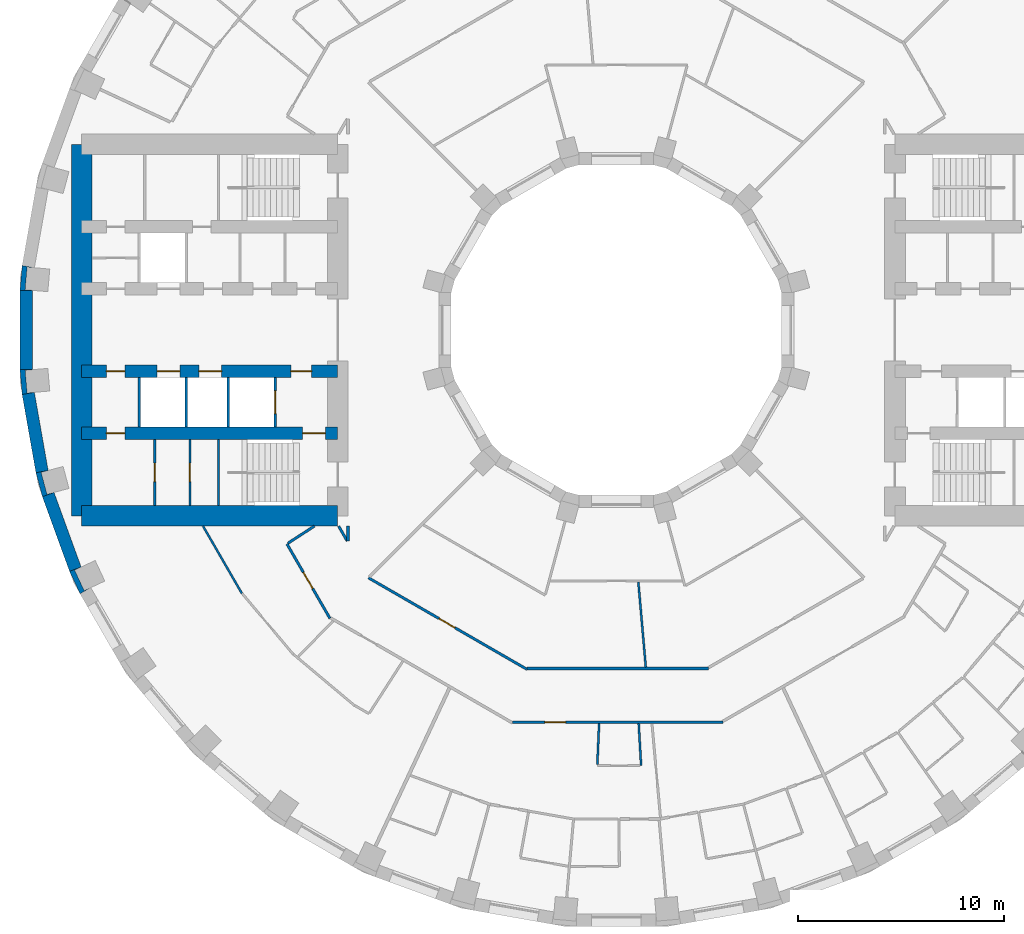
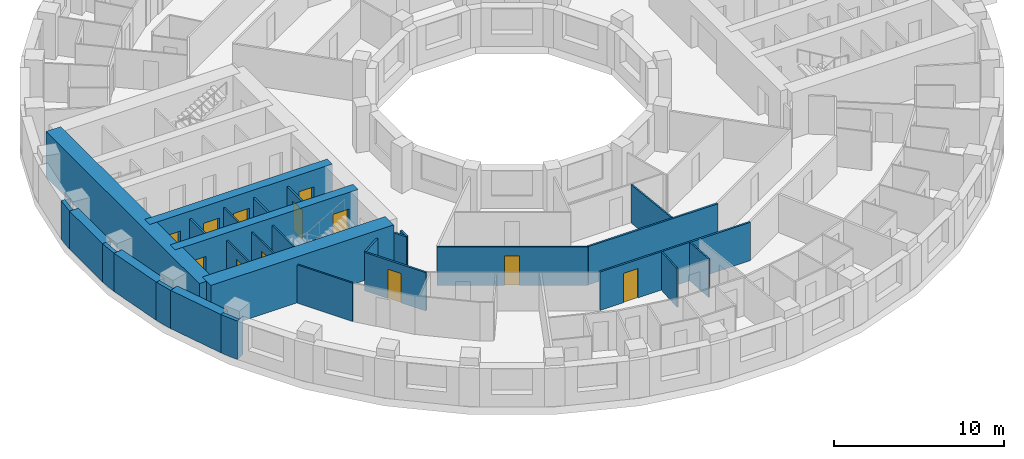
# One storey, part 5 of 15: 29 walls, 12 doors, 12 openings.
"""IFC4 building model written with IfcOpenShell, lengths in metres."""

from ifc_helpers import new_model, si_unit, direction, frame, frame_2d, origin, place, context, subcontext, project, spatial, polyline, rectangle, outline, extrude, material, layer, layer_set, type_object, element, fill, save


model = new_model("IFC4")

# Units and contexts
model_context = context("Model", 3, precision=1e-05, world=origin(), true_north=direction((0.0, 1.0)))
body_context = subcontext(model_context, "Body", "Model", "MODEL_VIEW")
ifc_project = project(units=[si_unit("LENGTHUNIT", "METRE"), si_unit("AREAUNIT", "SQUARE_METRE"), si_unit("VOLUMEUNIT", "CUBIC_METRE"), si_unit("PLANEANGLEUNIT", "RADIAN"), si_unit("MASSUNIT", "GRAM", prefix="KILO")], contexts=[model_context])

# Site, building, storey
site_placement = place(None, origin())
site = spatial("IfcSite", under=ifc_project, at=site_placement, CompositionType="ELEMENT")
building_placement = place(site_placement, origin())
building = spatial("IfcBuilding", under=site, at=building_placement, Name="Saqina Gate Tower", CompositionType="ELEMENT")
storey_placement = place(building_placement, frame((0.0, 0.0, 59.300048828125)))
storey = spatial("IfcBuildingStorey", under=building, at=storey_placement, Name="L16", CompositionType="ELEMENT", Elevation=59.300048828125)

# Walls
ifc_material_1 = material(Name="Brick masonry (red)", Category="masonry")
wall_type_1 = type_object("IfcWallType", Name="BRICK PIER COPING RED", PredefinedType="SOLIDWALL", material=ifc_material_1)
wall_1_placement = place(storey_placement, origin())
element("IfcWall", 1, at=wall_1_placement, inside=storey, type_object=wall_type_1, Name="Pier cap L16 column 18", PredefinedType="SOLIDWALL", context=body_context, shape_type="SweptSolid", body=[
    extrude(outline(polyline([(-28.78466796875, 3.122802734375), (-28.8896484375, 1.9228515625), (-28.28955078125, 1.9228515625), (-28.638671875, 1.95361328125), (-28.54296875, 3.04931640625), (-28.19384765625, 3.018798828125), (-28.78466796875, 3.122802734375)])), origin(), (0.0, 0.0, 1.0), 2.75),
])
wall_2_placement = place(storey_placement, origin())
element("IfcWall", 2, at=wall_2_placement, inside=storey, type_object=wall_type_1, Name="Pier cap L16 column 19", PredefinedType="SOLIDWALL", context=body_context, shape_type="SweptSolid", body=[
    extrude(outline(polyline([(-28.8896484375, -1.9228515625), (-28.78466796875, -3.122802734375), (-28.19384765625, -3.018798828125), (-28.54296875, -3.04931640625), (-28.638671875, -1.95361328125), (-28.28955078125, -1.9228515625), (-28.8896484375, -1.9228515625)])), origin(), (0.0, 0.0, 1.0), 2.75),
])
wall_3_placement = place(storey_placement, origin())
element("IfcWall", 3, at=wall_3_placement, inside=storey, type_object=wall_type_1, Name="Pier cap L16 column 20", PredefinedType="SOLIDWALL", context=body_context, shape_type="SweptSolid", body=[
    extrude(outline(polyline([(-28.11669921875, -6.910400390625), (-27.80517578125, -8.073974609375), (-27.2412109375, -7.86865234375), (-27.57958984375, -7.95947265625), (-27.864501953125, -6.896728515625), (-27.52587890625, -6.80615234375), (-28.11669921875, -6.910400390625)])), origin(), (0.0, 0.0, 1.0), 2.75),
])
wall_4_placement = place(storey_placement, origin())
element("IfcWall", 4, at=wall_4_placement, inside=storey, type_object=wall_type_1, Name="Pier cap L16 column 21", PredefinedType="SOLIDWALL", context=body_context, shape_type="SweptSolid", body=[
    extrude(outline(polyline([(-25.980712890625, -12.779541015625), (-25.4609375, -12.4794921875), (-25.778564453125, -12.627685546875), (-26.243408203125, -11.630615234375), (-25.92578125, -11.482666015625), (-26.48974609375, -11.687744140625), (-25.980712890625, -12.779541015625)])), origin(), (0.0, 0.0, 1.0), 2.75),
])

# Wall, opening, door
ifc_material_2 = material(Name="Gypsum board on steel studs", Category="steel")
ifc_layer_1 = layer(ifc_material_2, 0.10009765625)
ifc_layer_set_1 = layer_set([ifc_layer_1], Name="CORE PARTITION")
wall_type_2 = type_object("IfcWallType", Name="CORE PARTITION", PredefinedType="PARTITIONING", material=ifc_layer_set_1)
wall_5_placement = place(storey_placement, frame((-20.65771484375, -8.5, 0.0), z_axis=(0.0, 0.0, 1.0), x_axis=(0.0, 1.0, 0.0)))
wall_5 = element("IfcWall", 5, at=wall_5_placement, inside=storey, type_object=wall_type_2, Name="L16-CP-W13", PredefinedType="PARTITIONING", context=body_context, shape_type="SweptSolid", body=[
    extrude(rectangle(XDim=3.199951171875, YDim=0.10009765625, at=frame_2d((1.60009765625, 0.0))), origin(), (0.0, 0.0, 1.0), 2.75),
])
opening_1_placement = place(wall_5_placement, frame((1.14990234375, 0.0, 0.0)))
opening_1 = element("IfcOpeningElement", 6, at=opening_1_placement, cuts=wall_5, Name="Opening G04-D116", PredefinedType="OPENING", context=body_context, shape_type="SweptSolid", body=[
    extrude(rectangle(XDim=0.89990234375, YDim=2.10009765625, at=frame_2d((0.449951171875, 1.050048828125))), frame((0.0, 0.06201171875, 0.0), z_axis=(0.0, -1.0, 0.0), x_axis=(1.0, 0.0, 0.0)), (0.0, 0.0, 1.0), 0.1240234375),
])
ifc_material_3 = material(Name="Steel-framed fire door leaf, EI 60", Category="steel")
door_type_1 = type_object("IfcDoorType", Name="SERVICE ROOM DOOR 900", OperationType="SINGLE_SWING_LEFT", PredefinedType="DOOR", material=ifc_material_3)
door_1_placement = place(opening_1_placement, origin())
door_1 = element("IfcDoor", 7, at=door_1_placement, inside=storey, type_object=door_type_1, Name="L16-CD-W27", OperationType="SINGLE_SWING_LEFT", OverallHeight=2.10009765625, OverallWidth=0.89990234375, PredefinedType="DOOR", context=body_context, shape_type="SweptSolid", body=[
    extrude(rectangle(XDim=0.89990234375, YDim=2.10009765625, at=frame_2d((0.449951171875, 1.050048828125))), frame((0.0, 0.02490234375, 0.0), z_axis=(0.0, -1.0, 0.0), x_axis=(1.0, 0.0, 0.0)), (0.0, 0.0, 1.0), 0.050048828125),
])
fill(opening_1, door_1)

wall_6_placement = place(storey_placement, frame((-22.360107421875, -8.5, 0.0), z_axis=(0.0, 0.0, 1.0), x_axis=(0.0, 1.0, 0.0)))
wall_6 = element("IfcWall", 8, at=wall_6_placement, inside=storey, type_object=wall_type_2, Name="L16-CP-W14", PredefinedType="PARTITIONING", context=body_context, shape_type="SweptSolid", body=[
    extrude(rectangle(XDim=3.199951171875, YDim=0.10009765625, at=frame_2d((1.60009765625, 0.0))), origin(), (0.0, 0.0, 1.0), 2.75),
])
opening_2_placement = place(wall_6_placement, frame((1.14990234375, 0.0, 0.0)))
opening_2 = element("IfcOpeningElement", 9, at=opening_2_placement, cuts=wall_6, Name="Opening G04-D115", PredefinedType="OPENING", context=body_context, shape_type="SweptSolid", body=[
    extrude(rectangle(XDim=0.89990234375, YDim=2.10009765625, at=frame_2d((0.449951171875, 1.050048828125))), frame((0.0, 0.06201171875, 0.0), z_axis=(0.0, -1.0, 0.0), x_axis=(1.0, 0.0, 0.0)), (0.0, 0.0, 1.0), 0.1240234375),
])
door_2_placement = place(opening_2_placement, origin())
door_2 = element("IfcDoor", 10, at=door_2_placement, inside=storey, type_object=door_type_1, Name="L16-CD-W26", OperationType="SINGLE_SWING_LEFT", OverallHeight=2.10009765625, OverallWidth=0.89990234375, PredefinedType="DOOR", context=body_context, shape_type="SweptSolid", body=[
    extrude(rectangle(XDim=0.89990234375, YDim=2.10009765625, at=frame_2d((0.449951171875, 1.050048828125))), frame((0.0, 0.02490234375, 0.0), z_axis=(0.0, -1.0, 0.0), x_axis=(1.0, 0.0, 0.0)), (0.0, 0.0, 1.0), 0.050048828125),
])
fill(opening_2, door_2)

# Walls
ifc_material_4 = material(Name="Glazed ceramic tile", Category="ceramic")
ifc_layer_2 = layer(ifc_material_4, 0.60009765625)
ifc_layer_set_2 = layer_set([ifc_layer_2], Name="FW-TILE")
wall_type_3 = type_object("IfcWallType", Name="FW-TILE", PredefinedType="SOLIDWALL", material=ifc_layer_set_2)
wall_7_placement = place(storey_placement, frame((-28.4892578125, -3.07080078125, 0.0), z_axis=(0.0, 0.0, 1.0), x_axis=(0.173687553279, -0.984800809218, 0.0)))
element("IfcWall", 11, at=wall_7_placement, inside=storey, type_object=wall_type_3, Name="Facade wall L16 facet 19", PredefinedType="SOLIDWALL", context=body_context, shape_type="SweptSolid", body=[
    extrude(rectangle(XDim=3.845703125, YDim=0.60009765625, at=frame_2d((1.9228515625, 0.0))), origin(), (0.0, 0.0, 1.0), 2.75),
])
ifc_material_5 = material(Name="Glazed ceramic tile (dark blue)", Category="ceramic")
ifc_layer_3 = layer(ifc_material_5, 0.60009765625)
ifc_layer_set_3 = layer_set([ifc_layer_3], Name="FW-TILE-CB")
wall_type_4 = type_object("IfcWallType", Name="FW-TILE-CB", PredefinedType="SOLIDWALL", material=ifc_layer_set_3)
wall_8_placement = place(storey_placement, frame((-28.589599609375, 1.9228515625, 0.0), z_axis=(0.0, 0.0, 1.0), x_axis=(0.0, -1.0, 0.0)))
element("IfcWall", 12, at=wall_8_placement, inside=storey, type_object=wall_type_4, Name="Facade wall L16 facet 18", PredefinedType="SOLIDWALL", context=body_context, shape_type="SweptSolid", body=[
    extrude(rectangle(XDim=3.845703125, YDim=0.60009765625, at=frame_2d((1.9228515625, 0.0))), origin(), (0.0, 0.0, 1.0), 2.75),
])
ifc_material_6 = material(Name="Glazed ceramic tile (white)", Category="ceramic")
ifc_layer_4 = layer(ifc_material_6, 0.60009765625)
ifc_layer_set_4 = layer_set([ifc_layer_4], Name="FW-TILE-WH")
wall_type_5 = type_object("IfcWallType", Name="FW-TILE-WH", PredefinedType="SOLIDWALL", material=ifc_layer_set_4)
wall_9_placement = place(storey_placement, frame((-27.523193359375, -7.97119140625, 0.0), z_axis=(0.0, 0.0, 1.0), x_axis=(0.342028474173, -0.939689588564, 0.0)))
element("IfcWall", 13, at=wall_9_placement, inside=storey, type_object=wall_type_5, Name="Facade wall L16 facet 20", PredefinedType="SOLIDWALL", context=body_context, shape_type="SweptSolid", body=[
    extrude(rectangle(XDim=3.845947265625, YDim=0.60009765625, at=frame_2d((1.9228515625, 0.0))), origin(), (0.0, 0.0, 1.0), 2.75),
])
ifc_material_7 = material(Name="Gypsum board on steel studs, 100 mm", Category="steel")
ifc_layer_5 = layer(ifc_material_7, 0.10009765625)
ifc_layer_set_5 = layer_set([ifc_layer_5], Name="PARTITION 100")
wall_type_6 = type_object("IfcWallType", Name="PARTITION 100", PredefinedType="PARTITIONING", material=ifc_layer_set_5)
wall_10_placement = place(storey_placement, frame((1.08544921875, -19.0625, 0.0), z_axis=(0.0, 0.0, 1.0), x_axis=(0.057060010535, -0.998370750372, 0.0)))
element("IfcWall", 14, at=wall_10_placement, inside=storey, type_object=wall_type_6, Name="PARTITION PW3-02", PredefinedType="PARTITIONING", context=body_context, shape_type="SweptSolid", body=[
    extrude(rectangle(XDim=2.041015625, YDim=0.10009765625, at=frame_2d((1.0205078125, 0.0))), origin(), (0.0, 0.0, 1.0), 2.75),
])
wall_11_placement = place(storey_placement, frame((1.0673828125, -12.19970703125, 0.0), z_axis=(0.0, 0.0, 1.0), x_axis=(0.08728141995, -0.996183694773, 0.0)))
element("IfcWall", 15, at=wall_11_placement, inside=storey, type_object=wall_type_6, Name="PARTITION PW3-05", PredefinedType="PARTITIONING", context=body_context, shape_type="SweptSolid", body=[
    extrude(rectangle(XDim=4.15380859375, YDim=0.10009765625, at=frame_2d((2.076904296875, 0.0))), origin(), (0.0, 0.0, 1.0), 2.75),
])
wall_12_placement = place(storey_placement, frame((-20.02197265625, -9.5, 0.0), z_axis=(0.0, 0.0, 1.0), x_axis=(0.500001120693, -0.866024756751, 0.0)))
element("IfcWall", 16, at=wall_12_placement, inside=storey, type_object=wall_type_6, Name="PARTITION PW3-16", PredefinedType="PARTITIONING", context=body_context, shape_type="SweptSolid", body=[
    extrude(rectangle(XDim=3.7666015625, YDim=0.10009765625, at=frame_2d((1.88330078125, 0.0))), origin(), (0.0, 0.0, 1.0), 2.75),
])
wall_13_placement = place(storey_placement, frame((-0.9189453125, -21.050048828125, 0.0), z_axis=(0.0, 0.0, 1.0), x_axis=(0.043320061376, 0.999061245511, 0.0)))
element("IfcWall", 17, at=wall_13_placement, inside=storey, type_object=wall_type_6, Name="PARTITION PW3-113", PredefinedType="PARTITIONING", context=body_context, shape_type="SweptSolid", body=[
    extrude(rectangle(XDim=1.989501953125, YDim=0.10009765625, at=frame_2d((0.99462890625, 0.0))), origin(), (0.0, 0.0, 1.0), 2.75),
])

# Wall, opening, door
ifc_material_8 = material(Name="Gypsum board on steel studs, 125 mm, fire rated", Category="steel")
ifc_layer_6 = layer(ifc_material_8, 0.125)
ifc_layer_set_6 = layer_set([ifc_layer_6], Name="PARTITION EI 30 125")
wall_type_7 = type_object("IfcWallType", Name="PARTITION EI 30 125", PredefinedType="PARTITIONING", material=ifc_layer_set_6)
wall_14_placement = place(storey_placement, frame((-15.95703125, -10.362060546875, 0.0), z_axis=(0.0, 0.0, 1.0), x_axis=(0.500063859158, -0.865988531543, 0.0)))
wall_14 = element("IfcWall", 18, at=wall_14_placement, inside=storey, type_object=wall_type_7, Name="PARTITION PW1-02", PredefinedType="PARTITIONING", context=body_context, shape_type="SweptSolid", body=[
    extrude(rectangle(XDim=4.16796875, YDim=0.125, at=frame_2d((2.083984375, 0.0))), origin(), (0.0, 0.0, 1.0), 2.75),
])
opening_3_placement = place(wall_14_placement, frame((1.597900390625, 0.0, 0.0)))
opening_3 = element("IfcOpeningElement", 19, at=opening_3_placement, cuts=wall_14, Name="Opening G04-D37", PredefinedType="OPENING", context=body_context, shape_type="SweptSolid", body=[
    extrude(rectangle(XDim=0.89990234375, YDim=2.10009765625, at=frame_2d((0.449951171875, 1.050048828125))), frame((0.0, 0.074462890625, 0.0), z_axis=(0.0, -1.0, 0.0), x_axis=(1.0, 0.0, 0.0)), (0.0, 0.0, 1.0), 0.14892578125),
])
ifc_material_9 = material(Name="Fire door leaf EI 30, 900 mm")
door_type_2 = type_object("IfcDoorType", Name="DOOR 900 EI 30", OperationType="SINGLE_SWING_LEFT", PredefinedType="DOOR", material=ifc_material_9)
door_3_placement = place(opening_3_placement, frame((0.89990234375, 0.0, 0.0), z_axis=(0.0, 0.0, 1.0), x_axis=(-1.0, 0.0, 0.0)))
door_3 = element("IfcDoor", 20, at=door_3_placement, inside=storey, type_object=door_type_2, Name="DOOR G04-D37", OperationType="SINGLE_SWING_RIGHT", OverallHeight=2.10009765625, OverallWidth=0.89990234375, PredefinedType="DOOR", context=body_context, shape_type="SweptSolid", body=[
    extrude(rectangle(XDim=0.89990234375, YDim=2.10009765625, at=frame_2d((0.449951171875, 1.050048828125))), frame((0.0, 0.02490234375, 0.0), z_axis=(0.0, -1.0, 0.0), x_axis=(1.0, 0.0, 0.0)), (0.0, 0.0, 1.0), 0.050048828125),
])
fill(opening_3, door_3)

# Wall
wall_15_placement = place(storey_placement, frame((-13.451904296875, -9.5, 0.0), z_axis=(0.0, 0.0, 1.0), x_axis=(0.49991670217, -0.866073490468, 0.0)))
element("IfcWall", 21, at=wall_15_placement, inside=storey, type_object=wall_type_7, Name="PARTITION PW1-03", PredefinedType="PARTITIONING", context=body_context, shape_type="SweptSolid", body=[
    extrude(rectangle(XDim=0.834228515625, YDim=0.125, at=frame_2d((0.4169921875, 0.0))), origin(), (0.0, 0.0, 1.0), 2.75),
])

# Wall, opening, door
wall_16_placement = place(storey_placement, frame((-12.006103515625, -12.006103515625, 0.0), z_axis=(0.0, 0.0, 1.0), x_axis=(0.866073188118, -0.499917225971, 0.0)))
wall_16 = element("IfcWall", 22, at=wall_16_placement, inside=storey, type_object=wall_type_7, Name="PARTITION PW1-11", PredefinedType="PARTITIONING", context=body_context, shape_type="SweptSolid", body=[
    extrude(rectangle(XDim=8.861328125, YDim=0.125, at=frame_2d((4.4306640625, 0.0))), origin(), (0.0, 0.0, 1.0), 2.75),
])
opening_4_placement = place(wall_16_placement, frame((3.944580078125, 0.0, 0.0)))
opening_4 = element("IfcOpeningElement", 23, at=opening_4_placement, cuts=wall_16, Name="Opening G04-D41", PredefinedType="OPENING", context=body_context, shape_type="SweptSolid", body=[
    extrude(rectangle(XDim=0.89990234375, YDim=2.10009765625, at=frame_2d((0.449951171875, 1.050048828125))), frame((0.0, 0.074462890625, 0.0), z_axis=(0.0, -1.0, 0.0), x_axis=(1.0, 0.0, 0.0)), (0.0, 0.0, 1.0), 0.14892578125),
])
door_4_placement = place(opening_4_placement, origin())
door_4 = element("IfcDoor", 24, at=door_4_placement, inside=storey, type_object=door_type_2, Name="DOOR G04-D41", OperationType="SINGLE_SWING_LEFT", OverallHeight=2.10009765625, OverallWidth=0.89990234375, PredefinedType="DOOR", context=body_context, shape_type="SweptSolid", body=[
    extrude(rectangle(XDim=0.89990234375, YDim=2.10009765625, at=frame_2d((0.449951171875, 1.050048828125))), frame((0.0, 0.02490234375, 0.0), z_axis=(0.0, -1.0, 0.0), x_axis=(1.0, 0.0, 0.0)), (0.0, 0.0, 1.0), 0.050048828125),
])
fill(opening_4, door_4)

wall_17_placement = place(storey_placement, frame((-5.028564453125, -19.0, 0.0), z_axis=(0.0, 0.0, 1.0), x_axis=(1.0, 0.0, 0.0)))
wall_17 = element("IfcWall", 25, at=wall_17_placement, inside=storey, type_object=wall_type_7, Name="PARTITION PW1-22", PredefinedType="PARTITIONING", context=body_context, shape_type="SweptSolid", body=[
    extrude(rectangle(XDim=10.191650390625, YDim=0.125, at=frame_2d((5.095703125, 0.0))), origin(), (0.0, 0.0, 1.0), 2.75),
])
opening_5_placement = place(wall_17_placement, frame((1.568115234375, 0.0, 0.0)))
opening_5 = element("IfcOpeningElement", 26, at=opening_5_placement, cuts=wall_17, Name="Opening G04-D45", PredefinedType="OPENING", context=body_context, shape_type="SweptSolid", body=[
    extrude(rectangle(XDim=1.0, YDim=2.10009765625, at=frame_2d((0.5, 1.050048828125))), frame((0.0, 0.074462890625, 0.0), z_axis=(0.0, -1.0, 0.0), x_axis=(1.0, 0.0, 0.0)), (0.0, 0.0, 1.0), 0.14892578125),
])
ifc_material_10 = material(Name="Fire door leaf EI 30, 1000 mm")
door_type_3 = type_object("IfcDoorType", Name="DOOR 1000 EI 30", OperationType="SINGLE_SWING_LEFT", PredefinedType="DOOR", material=ifc_material_10)
door_5_placement = place(opening_5_placement, frame((1.0, 0.0, 0.0), z_axis=(0.0, 0.0, 1.0), x_axis=(-1.0, 0.0, 0.0)))
door_5 = element("IfcDoor", 27, at=door_5_placement, inside=storey, type_object=door_type_3, Name="DOOR G04-D45", OperationType="SINGLE_SWING_RIGHT", OverallHeight=2.10009765625, OverallWidth=1.0, PredefinedType="DOOR", context=body_context, shape_type="SweptSolid", body=[
    extrude(rectangle(XDim=1.0, YDim=2.10009765625, at=frame_2d((0.5, 1.050048828125))), frame((0.0, 0.02490234375, 0.0), z_axis=(0.0, -1.0, 0.0), x_axis=(1.0, 0.0, 0.0)), (0.0, 0.0, 1.0), 0.050048828125),
])
fill(opening_5, door_5)

# Walls
wall_18_placement = place(storey_placement, frame((-4.33154296875, -16.39990234375, 0.0), z_axis=(0.0, 0.0, 1.0), x_axis=(1.0, 0.0, 0.0)))
element("IfcWall", 28, at=wall_18_placement, inside=storey, type_object=wall_type_7, Name="PARTITION PW1-23", PredefinedType="PARTITIONING", context=body_context, shape_type="SweptSolid", body=[
    extrude(rectangle(XDim=8.797607421875, YDim=0.125, at=frame_2d((4.39892578125, 0.0))), origin(), (0.0, 0.0, 1.0), 2.75),
])
wall_19_placement = place(storey_placement, frame((-15.904541015625, -10.327880859375, 0.0), z_axis=(0.0, 0.0, 1.0), x_axis=(0.83882853689, 0.544395706908, 0.0)))
element("IfcWall", 29, at=wall_19_placement, inside=storey, type_object=wall_type_7, Name="PARTITION PW1-37", PredefinedType="PARTITIONING", context=body_context, shape_type="SweptSolid", body=[
    extrude(rectangle(XDim=1.520751953125, YDim=0.125, at=frame_2d((0.76025390625, 0.0))), origin(), (0.0, 0.0, 1.0), 2.75),
])
wall_20_placement = place(storey_placement, frame((-13.0, -10.220458984375, 0.0), z_axis=(0.0, 0.0, 1.0), x_axis=(0.0, 1.0, 0.0)))
element("IfcWall", 30, at=wall_20_placement, inside=storey, type_object=wall_type_7, Name="PARTITION PW1-54", PredefinedType="PARTITIONING", context=body_context, shape_type="SweptSolid", body=[
    extrude(rectangle(XDim=0.720458984375, YDim=0.125, at=frame_2d((0.3603515625, 0.0))), origin(), (0.0, 0.0, 1.0), 2.75),
])

# Wall, opening, door
ifc_material_11 = material(Name="Autoclaved aerated concrete block", Category="concrete")
ifc_layer_7 = layer(ifc_material_11, 0.1201171875)
ifc_layer_set_7 = layer_set([ifc_layer_7], Name="SHAFT PARTITION")
wall_type_8 = type_object("IfcWallType", Name="SHAFT PARTITION", PredefinedType="PARTITIONING", material=ifc_layer_set_7)
wall_21_placement = place(storey_placement, frame((-16.530029296875, -4.699951171875, 0.0), z_axis=(0.0, 0.0, 1.0), x_axis=(0.0, 1.0, 0.0)))
wall_21 = element("IfcWall", 31, at=wall_21_placement, inside=storey, type_object=wall_type_8, Name="L16-CP-W05", PredefinedType="PARTITIONING", context=body_context, shape_type="SweptSolid", body=[
    extrude(rectangle(XDim=2.39990234375, YDim=0.1201171875, at=frame_2d((1.199951171875, 0.0))), origin(), (0.0, 0.0, 1.0), 2.75),
])
opening_6_placement = place(wall_21_placement, frame((0.64990234375, 0.0, 0.0)))
opening_6 = element("IfcOpeningElement", 32, at=opening_6_placement, cuts=wall_21, Name="Opening G04-LD6", PredefinedType="OPENING", context=body_context, shape_type="SweptSolid", body=[
    extrude(rectangle(XDim=1.10009765625, YDim=2.10009765625, at=frame_2d((0.550048828125, 1.050048828125))), frame((0.0, 0.072021484375, 0.0), z_axis=(0.0, -1.0, 0.0), x_axis=(1.0, 0.0, 0.0)), (0.0, 0.0, 1.0), 0.14404296875),
])
ifc_material_12 = material(Name="Stainless steel", Category="steel")
door_type_4 = type_object("IfcDoorType", Name="LANDING DOOR", OperationType="DOUBLE_DOOR_SLIDING", PredefinedType="DOOR", material=ifc_material_12)
door_6_placement = place(opening_6_placement, origin())
door_6 = element("IfcDoor", 33, at=door_6_placement, inside=storey, type_object=door_type_4, Name="LANDING DOOR FF2", OperationType="DOUBLE_DOOR_SLIDING", OverallHeight=2.10009765625, OverallWidth=1.10009765625, PredefinedType="DOOR", context=body_context, shape_type="SweptSolid", body=[
    extrude(rectangle(XDim=1.10009765625, YDim=2.10009765625, at=frame_2d((0.550048828125, 1.050048828125))), frame((0.0, 0.02490234375, 0.0), z_axis=(0.0, -1.0, 0.0), x_axis=(1.0, 0.0, 0.0)), (0.0, 0.0, 1.0), 0.050048828125),
])
fill(opening_6, door_6)

# Walls
for number, where, z_axis, x_axis, name in (
    (34, (-18.81005859375, -4.699951171875, 0.0), (0.0, 0.0, 1.0), (0.0, 1.0, 0.0), "L16-CP-W06"),
    (35, (-20.840087890625, -4.699951171875, 0.0), (0.0, 0.0, 1.0), (0.0, 1.0, 0.0), "L16-CP-W07"),
    (36, (-23.1201171875, -4.699951171875, 0.0), (0.0, 0.0, 1.0), (0.0, 1.0, 0.0), "L16-CP-W08"),
):
    element("IfcWall", number, at=place(storey_placement, frame(where, z_axis=z_axis, x_axis=x_axis)), inside=storey, type_object=wall_type_8, Name=name, PredefinedType="PARTITIONING", context=body_context, shape_type="SweptSolid", body=[
        extrude(rectangle(XDim=2.39990234375, YDim=0.1201171875, at=frame_2d((1.199951171875, 0.0))), origin(), (0.0, 0.0, 1.0), 2.75),
    ])
ifc_material_13 = material(Name="Autoclaved aerated concrete block", Category="concrete")
ifc_layer_8 = layer(ifc_material_13, 0.10009765625)
ifc_layer_set_8 = layer_set([ifc_layer_8], Name="STAIR ENCLOSURE WALL")
wall_type_9 = type_object("IfcWallType", Name="STAIR ENCLOSURE WALL", PredefinedType="PARTITIONING", material=ifc_layer_set_8)
wall_22_placement = place(storey_placement, frame((-19.27001953125, -8.5, 0.0), z_axis=(0.0, 0.0, 1.0), x_axis=(0.0, 1.0, 0.0)))
element("IfcWall", 37, at=wall_22_placement, inside=storey, type_object=wall_type_9, Name="L16-CP-W12", PredefinedType="PARTITIONING", context=body_context, shape_type="SweptSolid", body=[
    extrude(rectangle(XDim=3.199951171875, YDim=0.10009765625, at=frame_2d((1.60009765625, 0.0))), origin(), (0.0, 0.0, 1.0), 2.75),
])

# Wall, openings, doors
ifc_material_14 = material(Name="Concrete C70/85", Category="concrete")
ifc_layer_9 = layer(ifc_material_14, 0.60009765625)
ifc_layer_set_9 = layer_set([ifc_layer_9], Name="Concrete C70/85")
wall_type_10 = type_object("IfcWallType", Name="STR-CORE WALL-A-I", PredefinedType="SHEAR", material=ifc_layer_set_9)
wall_23_placement = place(storey_placement, frame((-13.5, -5.0, 0.0), z_axis=(0.0, 0.0, 1.0), x_axis=(-1.0, 0.0, 0.0)))
wall_23 = element("IfcWall", 38, at=wall_23_placement, inside=storey, type_object=wall_type_10, Name="CORE WALL L16 W-X2", PredefinedType="SHEAR", context=body_context, shape_type="SweptSolid", body=[
    extrude(rectangle(XDim=12.39990234375, YDim=0.60009765625, at=frame_2d((6.199951171875, 0.0))), origin(), (0.0, 0.0, 1.0), 3.300048828125),
])
opening_7_placement = place(wall_23_placement, frame((10.31005859375, 0.0, 0.0)))
opening_7 = element("IfcOpeningElement", 39, at=opening_7_placement, cuts=wall_23, Name="Opening G04-D117", PredefinedType="OPENING", context=body_context, shape_type="SweptSolid", body=[
    extrude(rectangle(XDim=0.89990234375, YDim=2.10009765625, at=frame_2d((0.449951171875, 1.050048828125))), frame((0.0, 0.31201171875, 0.0), z_axis=(0.0, -1.0, 0.0), x_axis=(1.0, 0.0, 0.0)), (0.0, 0.0, 1.0), 0.6240234375),
])
opening_8_placement = place(wall_23_placement, frame((0.60009765625, 0.0, 0.0)))
opening_8 = element("IfcOpeningElement", 40, at=opening_8_placement, cuts=wall_23, Name="Opening G04-D118", PredefinedType="OPENING", context=body_context, shape_type="SweptSolid", body=[
    extrude(rectangle(XDim=1.10009765625, YDim=2.10009765625, at=frame_2d((0.550048828125, 1.050048828125))), frame((0.0, 0.31201171875, 0.0), z_axis=(0.0, -1.0, 0.0), x_axis=(1.0, 0.0, 0.0)), (0.0, 0.0, 1.0), 0.6240234375),
])
ifc_material_15 = material(Name="Steel", Category="steel")
door_type_5 = type_object("IfcDoorType", Name="FIRE LOBBY DOOR EI 60 WIDE", OperationType="SINGLE_SWING_LEFT", PredefinedType="DOOR", material=ifc_material_15)
door_7_placement = place(opening_8_placement, origin())
door_7 = element("IfcDoor", 41, at=door_7_placement, inside=storey, type_object=door_type_5, Name="L16-CD-W29", OperationType="SINGLE_SWING_LEFT", OverallHeight=2.10009765625, OverallWidth=1.10009765625, PredefinedType="DOOR", context=body_context, shape_type="SweptSolid", body=[
    extrude(rectangle(XDim=1.10009765625, YDim=2.10009765625, at=frame_2d((0.550048828125, 1.050048828125))), frame((0.0, 0.02490234375, 0.0), z_axis=(0.0, -1.0, 0.0), x_axis=(1.0, 0.0, 0.0)), (0.0, 0.0, 1.0), 0.050048828125),
])
fill(opening_8, door_7)
door_8_placement = place(opening_7_placement, origin())
door_8 = element("IfcDoor", 42, at=door_8_placement, inside=storey, type_object=door_type_1, Name="L16-CD-W28", OperationType="SINGLE_SWING_RIGHT", OverallHeight=2.10009765625, OverallWidth=0.89990234375, PredefinedType="DOOR", context=body_context, shape_type="SweptSolid", body=[
    extrude(rectangle(XDim=0.89990234375, YDim=2.10009765625, at=frame_2d((0.449951171875, 1.050048828125))), frame((0.0, 0.02490234375, 0.0), z_axis=(0.0, -1.0, 0.0), x_axis=(1.0, 0.0, 0.0)), (0.0, 0.0, 1.0), 0.050048828125),
])
fill(opening_7, door_8)

wall_24_placement = place(storey_placement, frame((-13.5, -2.0, 0.0), z_axis=(0.0, 0.0, 1.0), x_axis=(-1.0, 0.0, 0.0)))
wall_24 = element("IfcWall", 43, at=wall_24_placement, inside=storey, type_object=wall_type_10, Name="CORE WALL L16 W-L2", PredefinedType="SHEAR", context=body_context, shape_type="SweptSolid", body=[
    extrude(rectangle(XDim=12.39990234375, YDim=0.60009765625, at=frame_2d((6.199951171875, 0.0))), origin(), (0.0, 0.0, 1.0), 3.300048828125),
])
opening_9_placement = place(wall_24_placement, frame((5.6201171875, 0.0, 0.0)))
opening_9 = element("IfcOpeningElement", 44, at=opening_9_placement, cuts=wall_24, Name="Opening G04-LD7", PredefinedType="OPENING", context=body_context, shape_type="SweptSolid", body=[
    extrude(rectangle(XDim=1.10009765625, YDim=2.10009765625, at=frame_2d((0.550048828125, 1.050048828125))), frame((0.0, 0.31201171875, 0.0), z_axis=(0.0, -1.0, 0.0), x_axis=(1.0, 0.0, 0.0)), (0.0, 0.0, 1.0), 0.6240234375),
])
opening_10_placement = place(wall_24_placement, frame((7.64990234375, 0.0, 0.0)))
opening_10 = element("IfcOpeningElement", 45, at=opening_10_placement, cuts=wall_24, Name="Opening G04-LD8", PredefinedType="OPENING", context=body_context, shape_type="SweptSolid", body=[
    extrude(rectangle(XDim=1.10009765625, YDim=2.10009765625, at=frame_2d((0.550048828125, 1.050048828125))), frame((0.0, 0.31201171875, 0.0), z_axis=(0.0, -1.0, 0.0), x_axis=(1.0, 0.0, 0.0)), (0.0, 0.0, 1.0), 0.6240234375),
])
opening_11_placement = place(wall_24_placement, frame((1.264892578125, 0.0, 0.0)))
opening_11 = element("IfcOpeningElement", 46, at=opening_11_placement, cuts=wall_24, Name="Opening G04-D110", PredefinedType="OPENING", context=body_context, shape_type="SweptSolid", body=[
    extrude(rectangle(XDim=1.0, YDim=2.10009765625, at=frame_2d((0.5, 1.050048828125))), frame((0.0, 0.31201171875, 0.0), z_axis=(0.0, -1.0, 0.0), x_axis=(1.0, 0.0, 0.0)), (0.0, 0.0, 1.0), 0.6240234375),
])
opening_12_placement = place(wall_24_placement, frame((10.31005859375, 0.0, 0.0)))
opening_12 = element("IfcOpeningElement", 47, at=opening_12_placement, cuts=wall_24, Name="Opening G04-D111", PredefinedType="OPENING", context=body_context, shape_type="SweptSolid", body=[
    extrude(rectangle(XDim=0.89990234375, YDim=2.10009765625, at=frame_2d((0.449951171875, 1.050048828125))), frame((0.0, 0.31201171875, 0.0), z_axis=(0.0, -1.0, 0.0), x_axis=(1.0, 0.0, 0.0)), (0.0, 0.0, 1.0), 0.6240234375),
])
ifc_material_16 = material(Name="Steel", Category="steel")
door_type_6 = type_object("IfcDoorType", Name="FIRE LOBBY DOOR EI 60", OperationType="SINGLE_SWING_LEFT", PredefinedType="DOOR", material=ifc_material_16)
door_9_placement = place(opening_11_placement, frame((1.0, 0.0, 0.0), z_axis=(0.0, 0.0, 1.0), x_axis=(-1.0, 0.0, 0.0)))
door_9 = element("IfcDoor", 48, at=door_9_placement, inside=storey, type_object=door_type_6, Name="L16-CD-W21", OperationType="SINGLE_SWING_RIGHT", OverallHeight=2.10009765625, OverallWidth=1.0, PredefinedType="DOOR", context=body_context, shape_type="SweptSolid", body=[
    extrude(rectangle(XDim=1.0, YDim=2.10009765625, at=frame_2d((0.5, 1.050048828125))), frame((0.0, 0.02490234375, 0.0), z_axis=(0.0, -1.0, 0.0), x_axis=(1.0, 0.0, 0.0)), (0.0, 0.0, 1.0), 0.050048828125),
])
fill(opening_11, door_9)
door_10_placement = place(opening_9_placement, origin())
door_10 = element("IfcDoor", 49, at=door_10_placement, inside=storey, type_object=door_type_4, Name="LANDING DOOR LR6", OperationType="DOUBLE_DOOR_SLIDING", OverallHeight=2.10009765625, OverallWidth=1.10009765625, PredefinedType="DOOR", context=body_context, shape_type="SweptSolid", body=[
    extrude(rectangle(XDim=1.10009765625, YDim=2.10009765625, at=frame_2d((0.550048828125, 1.050048828125))), frame((0.0, 0.02490234375, 0.0), z_axis=(0.0, -1.0, 0.0), x_axis=(1.0, 0.0, 0.0)), (0.0, 0.0, 1.0), 0.050048828125),
])
fill(opening_9, door_10)
door_11_placement = place(opening_10_placement, origin())
door_11 = element("IfcDoor", 50, at=door_11_placement, inside=storey, type_object=door_type_4, Name="LANDING DOOR LR5", OperationType="DOUBLE_DOOR_SLIDING", OverallHeight=2.10009765625, OverallWidth=1.10009765625, PredefinedType="DOOR", context=body_context, shape_type="SweptSolid", body=[
    extrude(rectangle(XDim=1.10009765625, YDim=2.10009765625, at=frame_2d((0.550048828125, 1.050048828125))), frame((0.0, 0.02490234375, 0.0), z_axis=(0.0, -1.0, 0.0), x_axis=(1.0, 0.0, 0.0)), (0.0, 0.0, 1.0), 0.050048828125),
])
fill(opening_10, door_11)
door_12_placement = place(opening_12_placement, origin())
door_12 = element("IfcDoor", 51, at=door_12_placement, inside=storey, type_object=door_type_1, Name="L16-CD-W22", OperationType="SINGLE_SWING_RIGHT", OverallHeight=2.10009765625, OverallWidth=0.89990234375, PredefinedType="DOOR", context=body_context, shape_type="SweptSolid", body=[
    extrude(rectangle(XDim=0.89990234375, YDim=2.10009765625, at=frame_2d((0.449951171875, 1.050048828125))), frame((0.0, 0.02490234375, 0.0), z_axis=(0.0, -1.0, 0.0), x_axis=(1.0, 0.0, 0.0)), (0.0, 0.0, 1.0), 0.050048828125),
])
fill(opening_12, door_12)

# Walls
ifc_material_17 = material(Name="Concrete C70/85", Category="concrete")
ifc_layer_10 = layer(ifc_material_17, 1.0)
ifc_layer_set_10 = layer_set([ifc_layer_10], Name="Concrete C70/85")
wall_type_11 = type_object("IfcWallType", Name="STR-CORE WALL-A-O", PredefinedType="SHEAR", material=ifc_layer_set_10)
wall_25_placement = place(storey_placement, frame((-25.89990234375, -9.0, 0.0), z_axis=(0.0, 0.0, 1.0), x_axis=(0.0, 1.0, 0.0)))
element("IfcWall", 52, at=wall_25_placement, inside=storey, type_object=wall_type_11, Name="CORE WALL L16 W-W2", PredefinedType="SHEAR", context=body_context, shape_type="SweptSolid", body=[
    extrude(rectangle(XDim=18.0, YDim=1.0, at=frame_2d((9.0, 0.0))), origin(), (0.0, 0.0, 1.0), 3.300048828125),
])
wall_26_placement = place(storey_placement, frame((-13.5, -9.0, 0.0), z_axis=(0.0, 0.0, 1.0), x_axis=(-1.0, 0.0, 0.0)))
element("IfcWall", 53, at=wall_26_placement, inside=storey, type_object=wall_type_11, Name="CORE WALL L16 W-SE", PredefinedType="SHEAR", context=body_context, shape_type="SweptSolid", body=[
    extrude(rectangle(XDim=12.39990234375, YDim=1.0, at=frame_2d((6.199951171875, 0.0))), origin(), (0.0, 0.0, 1.0), 3.300048828125),
])

save(model, "model.ifc")
